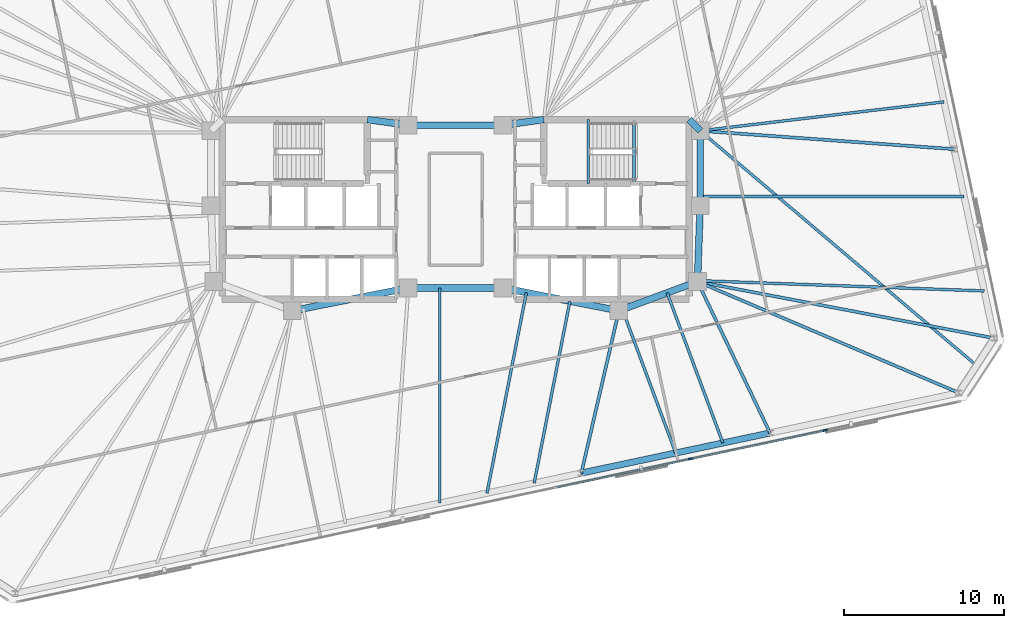
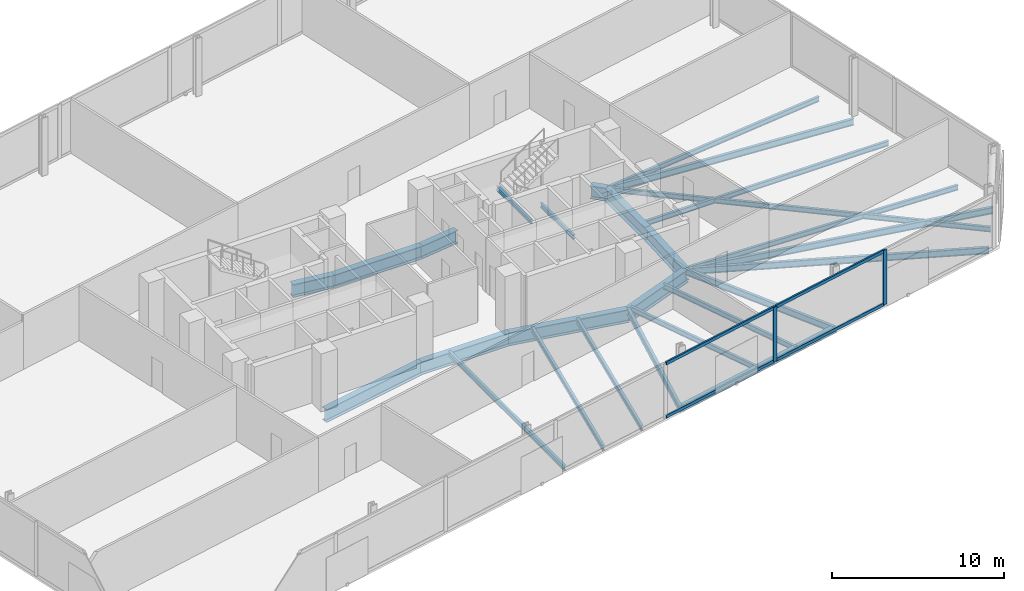
# One storey, part 7 of 15: 27 beams, 6 members, 1 element without a shape of its own.
"""IFC4 building model written with IfcOpenShell, lengths in metres."""

from ifc_helpers import new_model, si_unit, direction, frame, origin, origin_2d, place, context, subcontext, project, spatial, rectangle, i_section, extrude, material, material_profile, profile_set, type_object, element, aggregate, save


model = new_model("IFC4")

# Units and contexts
model_context = context("Model", 3, precision=1e-05, world=origin(), true_north=direction((0.0, 1.0)))
body_context = subcontext(model_context, "Body", "Model", "MODEL_VIEW")
ifc_project = project(units=[si_unit("LENGTHUNIT", "METRE"), si_unit("AREAUNIT", "SQUARE_METRE"), si_unit("VOLUMEUNIT", "CUBIC_METRE"), si_unit("PLANEANGLEUNIT", "RADIAN"), si_unit("MASSUNIT", "GRAM", prefix="KILO")], contexts=[model_context])

# Site, building, storey
site_placement = place(None, origin())
site = spatial("IfcSite", under=ifc_project, at=site_placement, CompositionType="ELEMENT")
building_placement = place(site_placement, origin())
building = spatial("IfcBuilding", under=site, at=building_placement, Name="Menara Jurai Vektor", CompositionType="ELEMENT")
storey_placement = place(building_placement, frame((0.0, 0.0, 147.300048828125)))
storey = spatial("IfcBuildingStorey", under=building, at=storey_placement, Name="L37", CompositionType="ELEMENT", Elevation=147.300048828125)

# Curtain wall, members
ifc_material_1 = material(Name="Anodised Pale Aluminium & Low-E Double Glazing", Category="aluminium")
curtain_wall_type = type_object("IfcCurtainWallType", Name="CW-SKY", PredefinedType="NOTDEFINED", material=ifc_material_1)
curtain_wall_placement = place(storey_placement, origin())
curtain_wall = element("IfcCurtainWall", 1, at=curtain_wall_placement, inside=storey, type_object=curtain_wall_type, Name="Unitised Curtain Wall L37 F01", PredefinedType="NOTDEFINED")
ifc_material_2 = material(Name="Anodised Pale Aluminium Mullion", Category="aluminium")
ifc_material_profile_1 = material_profile(ifc_material_2, rectangle(XDim=0.110107421875, YDim=0.280029296875, at=origin_2d()), Name="ALU MUL 110x280")
ifc_profile_set_1 = profile_set([ifc_material_profile_1], Name="Anodised Pale Aluminium Mullion")
member_type_1 = type_object("IfcMemberType", Name="CW-SKY-MUL", PredefinedType="MULLION", material=ifc_profile_set_1)
member_1_placement = place(storey_placement, frame((14.65478515625, -15.55517578125, 0.0), z_axis=(0.0, 0.0, 1.0), x_axis=(-0.207911344156, 0.978147674419, 0.0)))
member_1 = element("IfcMember", 2, at=member_1_placement, type_object=member_type_1, Name="CW-06 mullion 6", PredefinedType="MULLION", context=body_context, shape_type="SweptSolid", body=[
    extrude(rectangle(XDim=0.110107421875, YDim=0.280029296875, at=origin_2d()), origin(), (0.0, 0.0, 1.0), 3.875),
])
member_2_placement = place(storey_placement, frame((23.04443359375, -13.77197265625, 0.0), z_axis=(0.0, 0.0, 1.0), x_axis=(-0.207911344156, 0.978147674419, 0.0)))
member_2 = element("IfcMember", 3, at=member_2_placement, type_object=member_type_1, Name="CW-06 mullion 7", PredefinedType="MULLION", context=body_context, shape_type="SweptSolid", body=[
    extrude(rectangle(XDim=0.110107421875, YDim=0.280029296875, at=origin_2d()), origin(), (0.0, 0.0, 1.0), 3.875),
])
ifc_material_3 = material(Name="Anodised Pale Aluminium Transom", Category="aluminium")
ifc_material_profile_2 = material_profile(ifc_material_3, rectangle(XDim=0.110107421875, YDim=0.219970703125, at=origin_2d()), Name="ALU TRN 110x220")
ifc_profile_set_2 = profile_set([ifc_material_profile_2], Name="Anodised Pale Aluminium Transom")
member_type_2 = type_object("IfcMemberType", Name="CW-SKY-TRN", PredefinedType="USERDEFINED", material=ifc_profile_set_2)
member_3_placement = place(storey_placement, frame((6.31884765625, -17.3271484375, 0.054931640625), z_axis=(0.978144998468, 0.207923933141, 0.0), x_axis=(-0.207923933141, 0.978144998468, 0.0)))
member_3 = element("IfcMember", 4, at=member_3_placement, type_object=member_type_2, Name="CW-06 transom 5.1", ObjectType="TRANSOM", PredefinedType="USERDEFINED", context=body_context, shape_type="SweptSolid", body=[
    extrude(rectangle(XDim=0.110107421875, YDim=0.219970703125, at=origin_2d()), origin(), (0.0, 0.0, 1.0), 8.467041015625),
])
member_4_placement = place(storey_placement, frame((6.31884765625, -17.3271484375, 3.820068359375), z_axis=(0.978144998468, 0.207923933141, 0.0), x_axis=(-0.207923933141, 0.978144998468, 0.0)))
member_4 = element("IfcMember", 5, at=member_4_placement, type_object=member_type_2, Name="CW-06 transom 5.2", ObjectType="TRANSOM", PredefinedType="USERDEFINED", context=body_context, shape_type="SweptSolid", body=[
    extrude(rectangle(XDim=0.110107421875, YDim=0.219970703125, at=origin_2d()), origin(), (0.0, 0.0, 1.0), 8.467041015625),
])
member_5_placement = place(storey_placement, frame((14.70849609375, -15.5439453125, 0.054931640625), z_axis=(0.978144998468, 0.207923933141, 0.0), x_axis=(-0.207923933141, 0.978144998468, 0.0)))
member_5 = element("IfcMember", 6, at=member_5_placement, type_object=member_type_2, Name="CW-06 transom 6.1", ObjectType="TRANSOM", PredefinedType="USERDEFINED", context=body_context, shape_type="SweptSolid", body=[
    extrude(rectangle(XDim=0.110107421875, YDim=0.219970703125, at=origin_2d()), origin(), (0.0, 0.0, 1.0), 8.467041015625),
])
member_6_placement = place(storey_placement, frame((14.70849609375, -15.5439453125, 3.820068359375), z_axis=(0.978144998468, 0.207923933141, 0.0), x_axis=(-0.207923933141, 0.978144998468, 0.0)))
member_6 = element("IfcMember", 7, at=member_6_placement, type_object=member_type_2, Name="CW-06 transom 6.2", ObjectType="TRANSOM", PredefinedType="USERDEFINED", context=body_context, shape_type="SweptSolid", body=[
    extrude(rectangle(XDim=0.110107421875, YDim=0.219970703125, at=origin_2d()), origin(), (0.0, 0.0, 1.0), 8.467041015625),
])
aggregate(curtain_wall, [member_1, member_2, member_3, member_4, member_5, member_6])

# Beams
ifc_material_4 = material(Name="Steel S355", Category="steel")
ifc_material_profile_3 = material_profile(ifc_material_4, i_section(OverallWidth=0.19091796875, OverallDepth=0.4599609375, WebThickness=0.010009765625, FlangeThickness=0.01611328125, FilletRadius=0.010009765625, at=origin_2d()), Name="UKB 457x191x82")
ifc_profile_set_3 = profile_set([ifc_material_profile_3], Name="Steel S355")
beam_type_1 = type_object("IfcBeamType", Name="STR-BM-457", PredefinedType="BEAM", material=ifc_profile_set_3)
beam_1_placement = place(storey_placement, frame((7.83984375, -16.44140625, -0.47998046875), z_axis=(0.225261124248, 0.974298427538, 0.0), x_axis=(-0.974298427538, 0.225261124248, 0.0)))
element("IfcBeam", 8, at=beam_1_placement, inside=storey, type_object=beam_type_1, Name="Radial Floor Girder L37-S4", PredefinedType="BEAM", context=body_context, shape_type="SweptSolid", body=[
    extrude(i_section(OverallWidth=0.19091796875, OverallDepth=0.4599609375, WebThickness=0.010009765625, FlangeThickness=0.01611328125, FilletRadius=0.010009765625, at=origin_2d()), origin(), (0.0, 0.0, 1.0), 10.388427734375),
])
beam_2_placement = place(storey_placement, frame((19.608154296875, -13.940185546875, -0.47998046875), z_axis=(-0.432481646932, 0.901642736935, 0.0), x_axis=(-0.901642736935, -0.432481646932, 0.0)))
element("IfcBeam", 9, at=beam_2_placement, inside=storey, type_object=beam_type_1, Name="Radial Floor Girder L37-S5", PredefinedType="BEAM", context=body_context, shape_type="SweptSolid", body=[
    extrude(i_section(OverallWidth=0.19091796875, OverallDepth=0.4599609375, WebThickness=0.010009765625, FlangeThickness=0.01611328125, FilletRadius=0.010009765625, at=origin_2d()), origin(), (0.0, 0.0, 1.0), 10.469970703125),
])
beam_3_placement = place(storey_placement, frame((31.376220703125, -11.438720703125, -0.47998046875), z_axis=(-0.920069342045, 0.391755543458, 0.0), x_axis=(-0.391755543458, -0.920069342045, 0.0)))
element("IfcBeam", 10, at=beam_3_placement, inside=storey, type_object=beam_type_1, Name="Radial Floor Girder L37-S6", PredefinedType="BEAM", context=body_context, shape_type="SweptSolid", body=[
    extrude(i_section(OverallWidth=0.19091796875, OverallDepth=0.4599609375, WebThickness=0.010009765625, FlangeThickness=0.01611328125, FilletRadius=0.010009765625, at=origin_2d()), origin(), (0.0, 0.0, 1.0), 17.7119140625),
])
beam_4_placement = place(storey_placement, frame((33.588623046875, -8.031982421875, -0.47998046875), z_axis=(-0.982274660407, 0.187447303322, 0.0), x_axis=(-0.187447303322, -0.982274660407, 0.0)))
element("IfcBeam", 11, at=beam_4_placement, inside=storey, type_object=beam_type_1, Name="Radial Floor Girder L37-E1", PredefinedType="BEAM", context=body_context, shape_type="SweptSolid", body=[
    extrude(i_section(OverallWidth=0.19091796875, OverallDepth=0.4599609375, WebThickness=0.010009765625, FlangeThickness=0.01611328125, FilletRadius=0.010009765625, at=origin_2d()), origin(), (0.0, 0.0, 1.0), 18.842529296875),
])
beam_5_placement = place(storey_placement, frame((31.082763671875, 3.75634765625, -0.47998046875), z_axis=(-0.997401783921, 0.072039443584, 0.0), x_axis=(-0.072039443584, -0.997401783921, 0.0)))
element("IfcBeam", 12, at=beam_5_placement, inside=storey, type_object=beam_type_1, Name="Radial Floor Girder L37-E2", PredefinedType="BEAM", context=body_context, shape_type="SweptSolid", body=[
    extrude(i_section(OverallWidth=0.19091796875, OverallDepth=0.4599609375, WebThickness=0.010009765625, FlangeThickness=0.01611328125, FilletRadius=0.010009765625, at=origin_2d()), origin(), (0.0, 0.0, 1.0), 15.8740234375),
])
ifc_material_5 = material(Name="Steel S460", Category="steel")
ifc_material_profile_4 = material_profile(ifc_material_5, i_section(OverallWidth=0.39697265625, OverallDepth=0.31591796875, WebThickness=0.030029296875, FlangeThickness=0.048095703125, FilletRadius=0.014892578125, at=origin_2d()), Name="HD 400x382")
ifc_profile_set_4 = profile_set([ifc_material_profile_4], Name="Steel S460")
beam_type_2 = type_object("IfcBeamType", Name="STR-BM-CHORD382", PredefinedType="SPANDREL", material=ifc_profile_set_4)
beam_6_placement = place(storey_placement, frame((7.83984375, -16.44140625, -0.407958984375), z_axis=(0.978151165921, 0.207894917222, 0.0), x_axis=(-0.207894917222, 0.978151165921, 0.0)))
element("IfcBeam", 13, at=beam_6_placement, inside=storey, type_object=beam_type_2, Name="Exoskeleton Spandrel Beam L37-04", PredefinedType="SPANDREL", context=body_context, shape_type="SweptSolid", body=[
    extrude(i_section(OverallWidth=0.39697265625, OverallDepth=0.31591796875, WebThickness=0.030029296875, FlangeThickness=0.048095703125, FilletRadius=0.014892578125, at=origin_2d()), origin(), (0.0, 0.0, 1.0), 12.03125),
])
ifc_material_profile_5 = material_profile(ifc_material_5, i_section(OverallWidth=0.4208984375, OverallDepth=0.9208984375, WebThickness=0.02099609375, FlangeThickness=0.037109375, FilletRadius=0.02392578125, at=origin_2d()), Name="UKB 914x419x388")
ifc_profile_set_5 = profile_set([ifc_material_profile_5], Name="Steel S460")
beam_type_3 = type_object("IfcBeamType", Name="STR-BM-TR914", PredefinedType="BEAM", material=ifc_profile_set_5)
beam_7_placement = place(storey_placement, frame((-5.5, 5.60009765625, -0.71044921875), z_axis=(0.990706818608, -0.136014703483, 0.0), x_axis=(0.136014703483, 0.990706818608, 0.0)))
element("IfcBeam", 14, at=beam_7_placement, inside=storey, type_object=beam_type_3, Name="Core Ring Header Girder L37-CHW-N2", PredefinedType="BEAM", context=body_context, shape_type="SweptSolid", body=[
    extrude(i_section(OverallWidth=0.4208984375, OverallDepth=0.9208984375, WebThickness=0.02099609375, FlangeThickness=0.037109375, FilletRadius=0.02392578125, at=origin_2d()), origin(), (0.0, 0.0, 1.0), 2.573974609375),
])
beam_8_placement = place(storey_placement, frame((-10.179931640625, -6.320068359375, -0.71044921875), z_axis=(0.981249044334, 0.192744164614, 0.0), x_axis=(-0.192744164614, 0.981249044334, 0.0)))
element("IfcBeam", 15, at=beam_8_placement, inside=storey, type_object=beam_type_3, Name="Core Ring Header Girder L37-CHW-S2", PredefinedType="BEAM", context=body_context, shape_type="SweptSolid", body=[
    extrude(i_section(OverallWidth=0.4208984375, OverallDepth=0.9208984375, WebThickness=0.02099609375, FlangeThickness=0.037109375, FilletRadius=0.02392578125, at=origin_2d()), origin(), (0.0, 0.0, 1.0), 7.3681640625),
])
beam_9_placement = place(storey_placement, frame((2.949951171875, 5.25, -0.71044921875), z_axis=(0.990706818608, 0.136014703483, 0.0), x_axis=(-0.136014703483, 0.990706818608, 0.0)))
element("IfcBeam", 16, at=beam_9_placement, inside=storey, type_object=beam_type_3, Name="Core Ring Header Girder L37-CHE-N1", PredefinedType="BEAM", context=body_context, shape_type="SweptSolid", body=[
    extrude(i_section(OverallWidth=0.4208984375, OverallDepth=0.9208984375, WebThickness=0.02099609375, FlangeThickness=0.037109375, FilletRadius=0.02392578125, at=origin_2d()), origin(), (0.0, 0.0, 1.0), 2.573974609375),
])
beam_10_placement = place(storey_placement, frame((14.56005859375, 5.60009765625, -0.71044921875), z_axis=(0.701871936926, -0.712303154672, 0.0), x_axis=(0.712303154672, 0.701871936926, 0.0)))
element("IfcBeam", 17, at=beam_10_placement, inside=storey, type_object=beam_type_3, Name="Core Ring Header Girder L37-CHE-N2", PredefinedType="BEAM", context=body_context, shape_type="SweptSolid", body=[
    extrude(i_section(OverallWidth=0.4208984375, OverallDepth=0.9208984375, WebThickness=0.02099609375, FlangeThickness=0.037109375, FilletRadius=0.02392578125, at=origin_2d()), origin(), (0.0, 0.0, 1.0), 0.98291015625),
])
beam_11_placement = place(storey_placement, frame((15.25, 0.219970703125, -0.71044921875), z_axis=(0.0, 1.0, 0.0), x_axis=(-1.0, 0.0, 0.0)))
element("IfcBeam", 18, at=beam_11_placement, inside=storey, type_object=beam_type_3, Name="Core Ring Header Girder L37-CHE-E1", PredefinedType="BEAM", context=body_context, shape_type="SweptSolid", body=[
    extrude(i_section(OverallWidth=0.4208984375, OverallDepth=0.9208984375, WebThickness=0.02099609375, FlangeThickness=0.037109375, FilletRadius=0.02392578125, at=origin_2d()), origin(), (0.0, 0.0, 1.0), 4.679931640625),
])
beam_12_placement = place(storey_placement, frame((15.080078125, -4.5, -0.71044921875), z_axis=(0.035977314146, 0.999352606874, 0.0), x_axis=(-0.999352606874, 0.035977314146, 0.0)))
element("IfcBeam", 19, at=beam_12_placement, inside=storey, type_object=beam_type_3, Name="Core Ring Header Girder L37-CHE-E2", PredefinedType="BEAM", context=body_context, shape_type="SweptSolid", body=[
    extrude(i_section(OverallWidth=0.4208984375, OverallDepth=0.9208984375, WebThickness=0.02099609375, FlangeThickness=0.037109375, FilletRadius=0.02392578125, at=origin_2d()), origin(), (0.0, 0.0, 1.0), 4.72314453125),
])
beam_13_placement = place(storey_placement, frame((10.179931640625, -6.320068359375, -0.71044921875), z_axis=(0.937424400887, 0.348188874925, 0.0), x_axis=(-0.348188874925, 0.937424400887, 0.0)))
element("IfcBeam", 20, at=beam_13_placement, inside=storey, type_object=beam_type_3, Name="Core Ring Header Girder L37-CHE-S1", PredefinedType="BEAM", context=body_context, shape_type="SweptSolid", body=[
    extrude(i_section(OverallWidth=0.4208984375, OverallDepth=0.9208984375, WebThickness=0.02099609375, FlangeThickness=0.037109375, FilletRadius=0.02392578125, at=origin_2d()), origin(), (0.0, 0.0, 1.0), 5.227294921875),
])
beam_14_placement = place(storey_placement, frame((2.949951171875, -4.89990234375, -0.71044921875), z_axis=(0.981249044334, -0.192744164614, 0.0), x_axis=(0.192744164614, 0.981249044334, 0.0)))
element("IfcBeam", 21, at=beam_14_placement, inside=storey, type_object=beam_type_3, Name="Core Ring Header Girder L37-CHE-S2", PredefinedType="BEAM", context=body_context, shape_type="SweptSolid", body=[
    extrude(i_section(OverallWidth=0.4208984375, OverallDepth=0.9208984375, WebThickness=0.02099609375, FlangeThickness=0.037109375, FilletRadius=0.02392578125, at=origin_2d()), origin(), (0.0, 0.0, 1.0), 7.3681640625),
])
for number, where, z_axis, x_axis, name in (
    (22, (-2.949951171875, -4.89990234375, -0.71044921875), (1.0, 0.0, 0.0), (0.0, 1.0, 0.0), "Core Ring Header Girder L37-CC-1"),
    (23, (-2.949951171875, 5.25, -0.71044921875), (1.0, 0.0, 0.0), (0.0, 1.0, 0.0), "Core Ring Header Girder L37-CC-2"),
):
    element("IfcBeam", number, at=place(storey_placement, frame(where, z_axis=z_axis, x_axis=x_axis)), inside=storey, type_object=beam_type_3, Name=name, PredefinedType="BEAM", context=body_context, shape_type="SweptSolid", body=[
        extrude(i_section(OverallWidth=0.4208984375, OverallDepth=0.9208984375, WebThickness=0.02099609375, FlangeThickness=0.037109375, FilletRadius=0.02392578125, at=origin_2d()), origin(), (0.0, 0.0, 1.0), 5.89990234375),
    ])
ifc_material_profile_6 = material_profile(ifc_material_4, i_section(OverallWidth=0.172119140625, OverallDepth=0.35498046875, WebThickness=0.007080078125, FlangeThickness=0.011962890625, FilletRadius=0.010009765625, at=origin_2d()), Name="UKB 356x171x51")
ifc_profile_set_6 = profile_set([ifc_material_profile_6], Name="Steel S355")
beam_type_4 = type_object("IfcBeamType", Name="STR-JS-356", PredefinedType="JOIST", material=ifc_profile_set_6)
beam_15_placement = place(storey_placement, frame((-0.986328125, -18.3173828125, -0.427490234375), z_axis=(0.0, 1.0, 0.0), x_axis=(-1.0, 0.0, 0.0)))
element("IfcBeam", 24, at=beam_15_placement, inside=storey, type_object=beam_type_4, Name="Radial Secondary Floor Joist L37-JS05", PredefinedType="JOIST", context=body_context, shape_type="SweptSolid", body=[
    extrude(i_section(OverallWidth=0.172119140625, OverallDepth=0.35498046875, WebThickness=0.007080078125, FlangeThickness=0.011962890625, FilletRadius=0.010009765625, at=origin_2d()), origin(), (0.0, 0.0, 1.0), 13.41748046875),
])
beam_16_placement = place(storey_placement, frame((1.955810546875, -17.692138671875, -0.427490234375), z_axis=(0.192721917664, 0.981253413982, 0.0), x_axis=(-0.981253413982, 0.192721917664, 0.0)))
element("IfcBeam", 25, at=beam_16_placement, inside=storey, type_object=beam_type_4, Name="Radial Secondary Floor Joist L37-JS06", PredefinedType="JOIST", context=body_context, shape_type="SweptSolid", body=[
    extrude(i_section(OverallWidth=0.172119140625, OverallDepth=0.35498046875, WebThickness=0.007080078125, FlangeThickness=0.011962890625, FilletRadius=0.010009765625, at=origin_2d()), origin(), (0.0, 0.0, 1.0), 12.744140625),
])
beam_17_placement = place(storey_placement, frame((4.897705078125, -17.06689453125, -0.427490234375), z_axis=(0.19272061905, 0.981253669034, 0.0), x_axis=(-0.981253669034, 0.19272061905, 0.0)))
element("IfcBeam", 26, at=beam_17_placement, inside=storey, type_object=beam_type_4, Name="Radial Secondary Floor Joist L37-JS07", PredefinedType="JOIST", context=body_context, shape_type="SweptSolid", body=[
    extrude(i_section(OverallWidth=0.172119140625, OverallDepth=0.35498046875, WebThickness=0.007080078125, FlangeThickness=0.011962890625, FilletRadius=0.010009765625, at=origin_2d()), origin(), (0.0, 0.0, 1.0), 11.5634765625),
])
beam_18_placement = place(storey_placement, frame((13.72412109375, -15.19091796875, -0.427490234375), z_axis=(-0.348196799641, 0.93742145736, 0.0), x_axis=(-0.93742145736, -0.348196799641, 0.0)))
element("IfcBeam", 27, at=beam_18_placement, inside=storey, type_object=beam_type_4, Name="Radial Secondary Floor Joist L37-JS08", PredefinedType="JOIST", context=body_context, shape_type="SweptSolid", body=[
    extrude(i_section(OverallWidth=0.172119140625, OverallDepth=0.35498046875, WebThickness=0.007080078125, FlangeThickness=0.011962890625, FilletRadius=0.010009765625, at=origin_2d()), origin(), (0.0, 0.0, 1.0), 9.5498046875),
])
beam_19_placement = place(storey_placement, frame((16.666015625, -14.5654296875, -0.427490234375), z_axis=(-0.348180392292, 0.93742755156, 0.0), x_axis=(-0.93742755156, -0.348180392292, 0.0)))
element("IfcBeam", 28, at=beam_19_placement, inside=storey, type_object=beam_type_4, Name="Radial Secondary Floor Joist L37-JS09", PredefinedType="JOIST", context=body_context, shape_type="SweptSolid", body=[
    extrude(i_section(OverallWidth=0.172119140625, OverallDepth=0.35498046875, WebThickness=0.007080078125, FlangeThickness=0.011962890625, FilletRadius=0.010009765625, at=origin_2d()), origin(), (0.0, 0.0, 1.0), 9.98779296875),
])
beam_20_placement = place(storey_placement, frame((32.482421875, -9.7353515625, -0.427490234375), z_axis=(-0.762207822165, 0.6473323998, 0.0), x_axis=(-0.6473323998, -0.762207822165, 0.0)))
element("IfcBeam", 29, at=beam_20_placement, inside=storey, type_object=beam_type_4, Name="Radial Secondary Floor Joist L37-JS10", PredefinedType="JOIST", context=body_context, shape_type="SweptSolid", body=[
    extrude(i_section(OverallWidth=0.172119140625, OverallDepth=0.35498046875, WebThickness=0.007080078125, FlangeThickness=0.011962890625, FilletRadius=0.010009765625, at=origin_2d()), origin(), (0.0, 0.0, 1.0), 22.608642578125),
])
beam_21_placement = place(storey_placement, frame((32.962158203125, -5.0849609375, -0.427490234375), z_axis=(-0.999351908775, 0.035996700238, 0.0), x_axis=(-0.035996700238, -0.999351908775, 0.0)))
element("IfcBeam", 30, at=beam_21_placement, inside=storey, type_object=beam_type_4, Name="Radial Secondary Floor Joist L37-JS11", PredefinedType="JOIST", context=body_context, shape_type="SweptSolid", body=[
    extrude(i_section(OverallWidth=0.172119140625, OverallDepth=0.35498046875, WebThickness=0.007080078125, FlangeThickness=0.011962890625, FilletRadius=0.010009765625, at=origin_2d()), origin(), (0.0, 0.0, 1.0), 17.8916015625),
])
beam_22_placement = place(storey_placement, frame((31.709228515625, 0.809326171875, -0.427490234375), z_axis=(-1.0, 0.0, 0.0), x_axis=(0.0, -1.0, 0.0)))
element("IfcBeam", 31, at=beam_22_placement, inside=storey, type_object=beam_type_4, Name="Radial Secondary Floor Joist L37-JS12", PredefinedType="JOIST", context=body_context, shape_type="SweptSolid", body=[
    extrude(i_section(OverallWidth=0.172119140625, OverallDepth=0.35498046875, WebThickness=0.007080078125, FlangeThickness=0.011962890625, FilletRadius=0.010009765625, at=origin_2d()), origin(), (0.0, 0.0, 1.0), 16.459228515625),
])
beam_23_placement = place(storey_placement, frame((30.456298828125, 6.70361328125, -0.427490234375), z_axis=(-0.993038492178, -0.11779029269, 0.0), x_axis=(0.11779029269, -0.993038492178, 0.0)))
element("IfcBeam", 32, at=beam_23_placement, inside=storey, type_object=beam_type_4, Name="Radial Secondary Floor Joist L37-JS13", PredefinedType="JOIST", context=body_context, shape_type="SweptSolid", body=[
    extrude(i_section(OverallWidth=0.172119140625, OverallDepth=0.35498046875, WebThickness=0.007080078125, FlangeThickness=0.011962890625, FilletRadius=0.010009765625, at=origin_2d()), origin(), (0.0, 0.0, 1.0), 15.31298828125),
])
ifc_material_profile_7 = material_profile(ifc_material_4, i_section(OverallWidth=0.1650390625, OverallDepth=0.302978515625, WebThickness=0.006103515625, FlangeThickness=0.010009765625, FilletRadius=0.009033203125, at=origin_2d()), Name="UKB 305x165x40")
ifc_profile_set_7 = profile_set([ifc_material_profile_7], Name="Steel S355")
beam_type_5 = type_object("IfcBeamType", Name="STR-LN-305", PredefinedType="LINTEL", material=ifc_profile_set_7)
beam_24_placement = place(storey_placement, frame((11.1201171875, 1.60009765625, -0.401611328125), z_axis=(0.0, 1.0, 0.0), x_axis=(-1.0, 0.0, 0.0)))
element("IfcBeam", 33, at=beam_24_placement, inside=storey, type_object=beam_type_5, Name="Stair Well Floor Trimmer ST2 L37", PredefinedType="LINTEL", context=body_context, shape_type="SweptSolid", body=[
    extrude(i_section(OverallWidth=0.1650390625, OverallDepth=0.302978515625, WebThickness=0.006103515625, FlangeThickness=0.010009765625, FilletRadius=0.009033203125, at=origin_2d()), origin(), (0.0, 0.0, 1.0), 3.81982421875),
])
beam_25_placement = place(storey_placement, frame((8.27001953125, 1.60009765625, 1.698486328125), z_axis=(0.0, 1.0, 0.0), x_axis=(-1.0, 0.0, 0.0)))
element("IfcBeam", 34, at=beam_25_placement, inside=storey, type_object=beam_type_5, Name="Stair Half-Landing Nosing Trimmer ST2-1 L37", PredefinedType="LINTEL", context=body_context, shape_type="SweptSolid", body=[
    extrude(i_section(OverallWidth=0.1650390625, OverallDepth=0.302978515625, WebThickness=0.006103515625, FlangeThickness=0.010009765625, FilletRadius=0.009033203125, at=origin_2d()), origin(), (0.0, 0.0, 1.0), 4.0),
])

save(model, "model.ifc")
